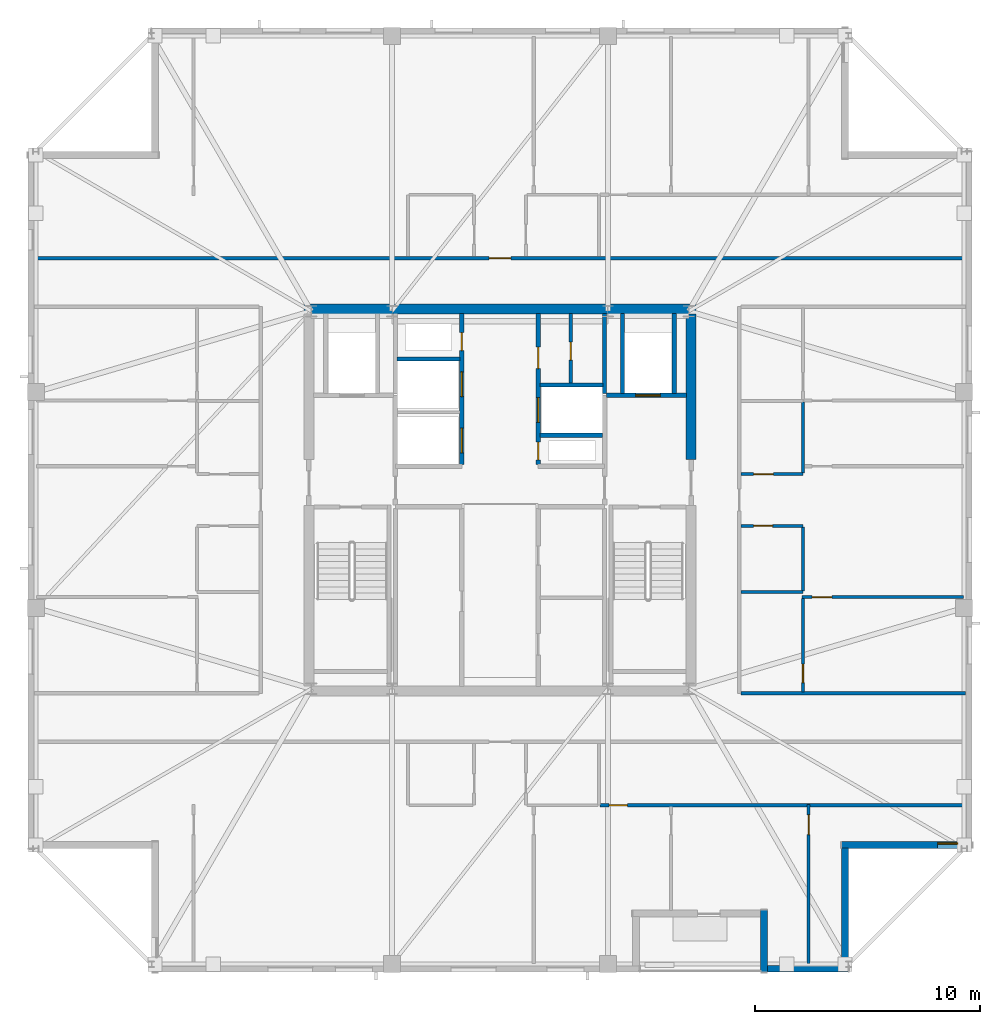
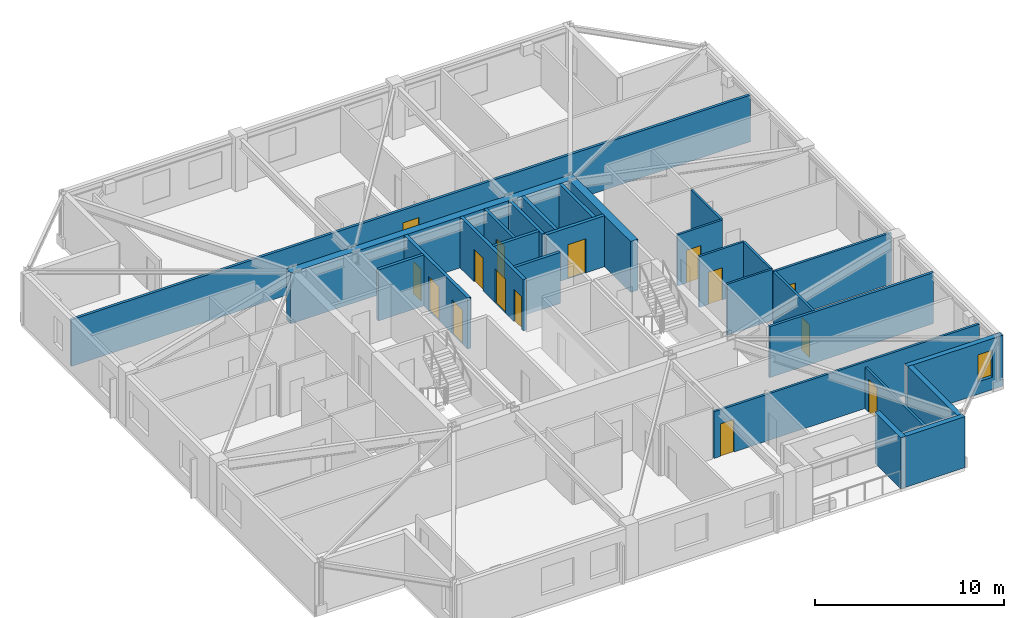
# One storey, part 9 of 15: 27 walls, 15 doors, 1 window, 16 openings.
"""IFC4 building model written with IfcOpenShell, lengths in metres."""

from ifc_helpers import new_model, si_unit, direction, frame, frame_2d, origin, place, context, subcontext, project, spatial, rectangle, extrude, material, layer, layer_set, type_object, element, fill, save


model = new_model("IFC4")

# Units and contexts
model_context = context("Model", 3, precision=1e-05, world=origin(), true_north=direction((0.0, 1.0)))
body_context = subcontext(model_context, "Body", "Model", "MODEL_VIEW")
ifc_project = project(units=[si_unit("LENGTHUNIT", "METRE"), si_unit("AREAUNIT", "SQUARE_METRE"), si_unit("VOLUMEUNIT", "CUBIC_METRE"), si_unit("PLANEANGLEUNIT", "RADIAN"), si_unit("MASSUNIT", "GRAM", prefix="KILO")], contexts=[model_context])

# Site, building, storey
site_placement = place(None, origin())
site = spatial("IfcSite", under=ifc_project, at=site_placement, CompositionType="ELEMENT")
building_placement = place(site_placement, origin())
building = spatial("IfcBuilding", under=site, at=building_placement, Name="Cairnveth Concourse Tower", CompositionType="ELEMENT")
storey_placement = place(building_placement, frame((0.0, 0.0, 284.0)))
storey = spatial("IfcBuildingStorey", under=building, at=storey_placement, Name="L78", CompositionType="ELEMENT", Elevation=284.0)

# Wall, opening, door
ifc_material_1 = material(Name="Gypsum Plasterboard Partition", Category="gypsum")
ifc_layer_1 = layer(ifc_material_1, 0.159912109375)
ifc_layer_set_1 = layer_set([ifc_layer_1], Name="Gypsum Plasterboard Partition")
wall_type_1 = type_object("IfcWallType", Name="ACOUSTIC PARTY WALL 180", PredefinedType="PARTITIONING", material=ifc_layer_set_1)
wall_1_placement = place(storey_placement, frame((55.14990234375, 44.195068359375, 0.0), z_axis=(0.0, 0.0, 1.0), x_axis=(0.0, 1.0, 0.0)))
wall_1 = element("IfcWall", 1, at=wall_1_placement, inside=storey, type_object=wall_type_1, Name="Interior Wall IW-L78-034", PredefinedType="PARTITIONING", context=body_context, shape_type="SweptSolid", body=[
    extrude(rectangle(XDim=3.094970703125, YDim=0.159912109375, at=frame_2d((1.54736328125, 0.0))), origin(), (0.0, 0.0, 1.0), 3.2900390625),
])
opening_1_placement = place(wall_1_placement, frame((1.02490234375, 0.0, 0.0)))
opening_1 = element("IfcOpeningElement", 2, at=opening_1_placement, cuts=wall_1, Name="Opening ID23", PredefinedType="OPENING", context=body_context, shape_type="SweptSolid", body=[
    extrude(rectangle(XDim=0.800048828125, YDim=2.10009765625, at=frame_2d((0.39990234375, 1.050048828125))), frame((0.0, 0.08984375, 0.0), z_axis=(0.0, -1.0, 0.0), x_axis=(1.0, 0.0, 0.0)), (0.0, 0.0, 1.0), 0.179931640625),
])
ifc_material_2 = material(Name="Steel Grade 350", Category="steel")
door_type_1 = type_object("IfcDoorType", Name="CORE SERVICE DOOR 800X2100", OperationType="NOTDEFINED", PredefinedType="DOOR", material=ifc_material_2)
door_1_placement = place(opening_1_placement, origin())
door_1 = element("IfcDoor", 3, at=door_1_placement, inside=storey, type_object=door_type_1, Name="NE Linen Closet Door L78", OperationType="SINGLE_SWING_RIGHT", OverallHeight=2.10009765625, OverallWidth=0.800048828125, PredefinedType="DOOR", context=body_context, shape_type="SweptSolid", body=[
    extrude(rectangle(XDim=0.800048828125, YDim=2.10009765625, at=frame_2d((0.39990234375, 1.050048828125))), frame((0.0, 0.02490234375, 0.0), z_axis=(0.0, -1.0, 0.0), x_axis=(1.0, 0.0, 0.0)), (0.0, 0.0, 1.0), 0.050048828125),
])
fill(opening_1, door_1)

wall_2_placement = place(storey_placement, frame((31.284912109375, 49.75, 0.0), z_axis=(0.0, 0.0, 1.0), x_axis=(1.0, 0.0, 0.0)))
wall_2 = element("IfcWall", 4, at=wall_2_placement, inside=storey, type_object=wall_type_1, Name="Interior Wall IW-L78-036", PredefinedType="PARTITIONING", context=body_context, shape_type="SweptSolid", body=[
    extrude(rectangle(XDim=41.43017578125, YDim=0.159912109375, at=frame_2d((20.715087890625, 0.0))), origin(), (0.0, 0.0, 1.0), 3.009033203125),
])
opening_2_placement = place(wall_2_placement, frame((20.235107421875, 0.0, 0.0)))
opening_2 = element("IfcOpeningElement", 5, at=opening_2_placement, cuts=wall_2, Name="Opening ID10", PredefinedType="OPENING", context=body_context, shape_type="SweptSolid", body=[
    extrude(rectangle(XDim=0.9599609375, YDim=2.179931640625, at=frame_2d((0.47998046875, 1.08984375))), frame((0.0, 0.08984375, 0.0), z_axis=(0.0, -1.0, 0.0), x_axis=(1.0, 0.0, 0.0)), (0.0, 0.0, 1.0), 0.179931640625),
])
ifc_material_3 = material(Name="Solid Core Hardwood Timber Leaf", Category="wood")
door_type_2 = type_object("IfcDoorType", Name="FLAT ENTRANCE DOOR 960X2150", OperationType="NOTDEFINED", PredefinedType="DOOR", material=ifc_material_3)
door_2_placement = place(opening_2_placement, origin())
door_2 = element("IfcDoor", 6, at=door_2_placement, inside=storey, type_object=door_type_2, Name="Penthouse L78PN1 Entrance Door", OperationType="SINGLE_SWING_RIGHT", OverallHeight=2.179931640625, OverallWidth=0.9599609375, PredefinedType="DOOR", context=body_context, shape_type="SweptSolid", body=[
    extrude(rectangle(XDim=0.9599609375, YDim=2.179931640625, at=frame_2d((0.47998046875, 1.08984375))), frame((0.0, 0.02490234375, 0.0), z_axis=(0.0, -1.0, 0.0), x_axis=(1.0, 0.0, 0.0)), (0.0, 0.0, 1.0), 0.050048828125),
])
fill(opening_2, door_2)

# Walls
wall_3_placement = place(storey_placement, frame((62.715087890625, 30.39990234375, 0.0), z_axis=(0.0, 0.0, 1.0), x_axis=(1.0, 0.0, 0.0)))
element("IfcWall", 7, at=wall_3_placement, inside=storey, type_object=wall_type_1, Name="Interior Wall IW-L78-041", PredefinedType="PARTITIONING", context=body_context, shape_type="SweptSolid", body=[
    extrude(rectangle(XDim=10.0, YDim=0.159912109375, at=frame_2d((5.0, 0.0))), origin(), (0.0, 0.0, 1.0), 3.2900390625),
])
ifc_material_4 = material(Name="Concrete N65 (65 MPa)", Category="concrete")
ifc_layer_2 = layer(ifc_material_4, 0.449951171875)
ifc_layer_set_2 = layer_set([ifc_layer_2], Name="Concrete N65 (65 MPa)")
wall_type_2 = type_object("IfcWallType", Name="CORE SHEAR WALL 450", PredefinedType="SHEAR", material=ifc_layer_set_2)
wall_4_placement = place(storey_placement, frame((43.27490234375, 47.5, 0.0), z_axis=(0.0, 0.0, 1.0), x_axis=(1.0, 0.0, 0.0)))
element("IfcWall", 8, at=wall_4_placement, inside=storey, type_object=wall_type_2, Name="Core North Shear Wall L78", PredefinedType="SHEAR", context=body_context, shape_type="SweptSolid", body=[
    extrude(rectangle(XDim=17.4501953125, YDim=0.449951171875, at=frame_2d((8.72509765625, 0.0))), origin(), (0.0, 0.0, 1.0), 3.2900390625),
])
wall_5_placement = place(storey_placement, frame((60.5, 40.800048828125, 0.0), z_axis=(0.0, 0.0, 1.0), x_axis=(0.0, 1.0, 0.0)))
element("IfcWall", 9, at=wall_5_placement, inside=storey, type_object=wall_type_2, Name="Core East Shear Wall N L78", PredefinedType="SHEAR", context=body_context, shape_type="SweptSolid", body=[
    extrude(rectangle(XDim=6.48486328125, YDim=0.449951171875, at=frame_2d((3.242431640625, 0.0))), origin(), (0.0, 0.0, 1.0), 3.2900390625),
])
ifc_material_5 = material(Name="Concrete N50 (50 MPa)", Category="concrete")
ifc_layer_3 = layer(ifc_material_5, 0.179931640625)
ifc_layer_set_3 = layer_set([ifc_layer_3], Name="Concrete N50 (50 MPa)")
wall_type_3 = type_object("IfcWallType", Name="FIRE SHAFT WALL 180", PredefinedType="SOLIDWALL", material=ifc_layer_set_3)
wall_6_placement = place(storey_placement, frame((47.425048828125, 45.280029296875, 0.0), z_axis=(0.0, 0.0, 1.0), x_axis=(1.0, 0.0, 0.0)))
element("IfcWall", 10, at=wall_6_placement, inside=storey, type_object=wall_type_3, Name="Interior Wall IW-L78-030", PredefinedType="SOLIDWALL", context=body_context, shape_type="SweptSolid", body=[
    extrude(rectangle(XDim=2.7900390625, YDim=0.179931640625, at=frame_2d((1.39501953125, 0.0))), origin(), (0.0, 0.0, 1.0), 3.2900390625),
])
wall_7_placement = place(storey_placement, frame((56.64990234375, 43.735107421875, 0.0), z_axis=(0.0, 0.0, 1.0), x_axis=(0.0, 1.0, 0.0)))
element("IfcWall", 11, at=wall_7_placement, inside=storey, type_object=wall_type_3, Name="Interior Wall IW-L78-031", PredefinedType="SOLIDWALL", context=body_context, shape_type="SweptSolid", body=[
    extrude(rectangle(XDim=3.554931640625, YDim=0.179931640625, at=frame_2d((1.77734375, 0.0))), origin(), (0.0, 0.0, 1.0), 3.2900390625),
])
wall_8_placement = place(storey_placement, frame((53.784912109375, 41.8798828125, 0.0), z_axis=(0.0, 0.0, 1.0), x_axis=(1.0, 0.0, 0.0)))
element("IfcWall", 12, at=wall_8_placement, inside=storey, type_object=wall_type_3, Name="Interior Wall IW-L78-032", PredefinedType="SOLIDWALL", context=body_context, shape_type="SweptSolid", body=[
    extrude(rectangle(XDim=2.780029296875, YDim=0.179931640625, at=frame_2d((1.39013671875, 0.0))), origin(), (0.0, 0.0, 1.0), 3.2900390625),
])
wall_9_placement = place(storey_placement, frame((53.784912109375, 44.1201171875, 0.0), z_axis=(0.0, 0.0, 1.0), x_axis=(1.0, 0.0, 0.0)))
element("IfcWall", 13, at=wall_9_placement, inside=storey, type_object=wall_type_3, Name="Interior Wall IW-L78-033", PredefinedType="SOLIDWALL", context=body_context, shape_type="SweptSolid", body=[
    extrude(rectangle(XDim=2.7900390625, YDim=0.179931640625, at=frame_2d((1.39501953125, 0.0))), origin(), (0.0, 0.0, 1.0), 3.2900390625),
])

# Wall, openings, doors
ifc_layer_4 = layer(ifc_material_5, 0.199951171875)
ifc_layer_set_4 = layer_set([ifc_layer_4], Name="Concrete N50 (50 MPa)")
wall_type_4 = type_object("IfcWallType", Name="FIRE SHAFT WALL 200", PredefinedType="SOLIDWALL", material=ifc_layer_set_4)
wall_10_placement = place(storey_placement, frame((50.300048828125, 40.5849609375, 0.0), z_axis=(0.0, 0.0, 1.0), x_axis=(0.0, 1.0, 0.0)))
wall_10 = element("IfcWall", 14, at=wall_10_placement, inside=storey, type_object=wall_type_4, Name="Interior Wall IW-L78-013", PredefinedType="SOLIDWALL", context=body_context, shape_type="SweptSolid", body=[
    extrude(rectangle(XDim=6.705078125, YDim=0.199951171875, at=frame_2d((3.3525390625, 0.0))), origin(), (0.0, 0.0, 1.0), 3.2900390625),
])
opening_3_placement = place(wall_10_placement, frame((0.514892578125, 0.0, 0.0)))
opening_3 = element("IfcOpeningElement", 15, at=opening_3_placement, cuts=wall_10, Name="Opening LD-1", PredefinedType="OPENING", context=body_context, shape_type="SweptSolid", body=[
    extrude(rectangle(XDim=1.10009765625, YDim=2.199951171875, at=frame_2d((0.550048828125, 1.10009765625))), frame((0.0, 0.10986328125, 0.0), z_axis=(0.0, -1.0, 0.0), x_axis=(1.0, 0.0, 0.0)), (0.0, 0.0, 1.0), 0.219970703125),
])
opening_4_placement = place(wall_10_placement, frame((3.014892578125, 0.0, 0.0)))
opening_4 = element("IfcOpeningElement", 16, at=opening_4_placement, cuts=wall_10, Name="Opening LD-1", PredefinedType="OPENING", context=body_context, shape_type="SweptSolid", body=[
    extrude(rectangle(XDim=1.10009765625, YDim=2.199951171875, at=frame_2d((0.550048828125, 1.10009765625))), frame((0.0, 0.10986328125, 0.0), z_axis=(0.0, -1.0, 0.0), x_axis=(1.0, 0.0, 0.0)), (0.0, 0.0, 1.0), 0.219970703125),
])
opening_5_placement = place(wall_10_placement, frame((5.06494140625, 0.0, 0.0)))
opening_5 = element("IfcOpeningElement", 17, at=opening_5_placement, cuts=wall_10, Name="Opening ID24", PredefinedType="OPENING", context=body_context, shape_type="SweptSolid", body=[
    extrude(rectangle(XDim=0.800048828125, YDim=2.080078125, at=frame_2d((0.39990234375, 1.0400390625))), frame((0.0, 0.10986328125, 0.0), z_axis=(0.0, -1.0, 0.0), x_axis=(1.0, 0.0, 0.0)), (0.0, 0.0, 1.0), 0.219970703125),
])
ifc_material_6 = material(Name="Architectural Bronze Anodised Aluminium 6063-T6", Category="aluminium")
door_type_3 = type_object("IfcDoorType", Name="LIFT LANDING DOOR 1100X2200", OperationType="SLIDING_TO_LEFT", PredefinedType="DOOR", material=ifc_material_6)
door_3_placement = place(opening_3_placement, origin())
door_3 = element("IfcDoor", 18, at=door_3_placement, inside=storey, type_object=door_type_3, Name="Lift PL7 Landing Door L78", OperationType="SLIDING_TO_LEFT", OverallHeight=2.199951171875, OverallWidth=1.10009765625, PredefinedType="DOOR", context=body_context, shape_type="SweptSolid", body=[
    extrude(rectangle(XDim=1.10009765625, YDim=2.199951171875, at=frame_2d((0.550048828125, 1.10009765625))), frame((0.0, 0.02490234375, 0.0), z_axis=(0.0, -1.0, 0.0), x_axis=(1.0, 0.0, 0.0)), (0.0, 0.0, 1.0), 0.050048828125),
])
fill(opening_3, door_3)
door_4_placement = place(opening_4_placement, origin())
door_4 = element("IfcDoor", 19, at=door_4_placement, inside=storey, type_object=door_type_3, Name="Lift PL8 Landing Door L78", OperationType="SLIDING_TO_LEFT", OverallHeight=2.199951171875, OverallWidth=1.10009765625, PredefinedType="DOOR", context=body_context, shape_type="SweptSolid", body=[
    extrude(rectangle(XDim=1.10009765625, YDim=2.199951171875, at=frame_2d((0.550048828125, 1.10009765625))), frame((0.0, 0.02490234375, 0.0), z_axis=(0.0, -1.0, 0.0), x_axis=(1.0, 0.0, 0.0)), (0.0, 0.0, 1.0), 0.050048828125),
])
fill(opening_4, door_4)
door_type_4 = type_object("IfcDoorType", Name="RISER ACCESS DOOR 800X2100", OperationType="NOTDEFINED", PredefinedType="DOOR", material=ifc_material_2)
door_5_placement = place(opening_5_placement, origin())
door_5 = element("IfcDoor", 20, at=door_5_placement, inside=storey, type_object=door_type_4, Name="NW Electrical Riser Access Door L78", OperationType="SINGLE_SWING_RIGHT", OverallHeight=2.080078125, OverallWidth=0.800048828125, PredefinedType="DOOR", context=body_context, shape_type="SweptSolid", body=[
    extrude(rectangle(XDim=0.800048828125, YDim=2.080078125, at=frame_2d((0.39990234375, 1.0400390625))), frame((0.0, 0.02490234375, 0.0), z_axis=(0.0, -1.0, 0.0), x_axis=(1.0, 0.0, 0.0)), (0.0, 0.0, 1.0), 0.050048828125),
])
fill(opening_5, door_5)

wall_11_placement = place(storey_placement, frame((53.699951171875, 40.5849609375, 0.0), z_axis=(0.0, 0.0, 1.0), x_axis=(0.0, 1.0, 0.0)))
wall_11 = element("IfcWall", 21, at=wall_11_placement, inside=storey, type_object=wall_type_4, Name="Interior Wall IW-L78-014", PredefinedType="SOLIDWALL", context=body_context, shape_type="SweptSolid", body=[
    extrude(rectangle(XDim=6.705078125, YDim=0.199951171875, at=frame_2d((3.3525390625, 0.0))), origin(), (0.0, 0.0, 1.0), 3.2900390625),
])
opening_6_placement = place(wall_11_placement, frame((0.195068359375, 0.0, 0.0)))
opening_6 = element("IfcOpeningElement", 22, at=opening_6_placement, cuts=wall_11, Name="Opening ID24", PredefinedType="OPENING", context=body_context, shape_type="SweptSolid", body=[
    extrude(rectangle(XDim=0.800048828125, YDim=2.080078125, at=frame_2d((0.39990234375, 1.0400390625))), frame((0.0, 0.10986328125, 0.0), z_axis=(0.0, -1.0, 0.0), x_axis=(1.0, 0.0, 0.0)), (0.0, 0.0, 1.0), 0.219970703125),
])
opening_7_placement = place(wall_11_placement, frame((1.864990234375, 0.0, 0.0)))
opening_7 = element("IfcOpeningElement", 23, at=opening_7_placement, cuts=wall_11, Name="Opening LD-1", PredefinedType="OPENING", context=body_context, shape_type="SweptSolid", body=[
    extrude(rectangle(XDim=1.10009765625, YDim=2.199951171875, at=frame_2d((0.550048828125, 1.10009765625))), frame((0.0, 0.10986328125, 0.0), z_axis=(0.0, -1.0, 0.0), x_axis=(1.0, 0.0, 0.0)), (0.0, 0.0, 1.0), 0.219970703125),
])
opening_8_placement = place(wall_11_placement, frame((4.264892578125, 0.0, 0.0)))
opening_8 = element("IfcOpeningElement", 24, at=opening_8_placement, cuts=wall_11, Name="Opening ID25", PredefinedType="OPENING", context=body_context, shape_type="SweptSolid", body=[
    extrude(rectangle(XDim=0.949951171875, YDim=2.1201171875, at=frame_2d((0.47509765625, 1.06005859375))), frame((0.0, 0.10986328125, 0.0), z_axis=(0.0, -1.0, 0.0), x_axis=(1.0, 0.0, 0.0)), (0.0, 0.0, 1.0), 0.219970703125),
])
door_type_5 = type_object("IfcDoorType", Name="CORE ACCESSIBLE FIRE DOOR 950X2120", OperationType="NOTDEFINED", PredefinedType="DOOR", material=ifc_material_2)
door_6_placement = place(opening_8_placement, origin())
door_6 = element("IfcDoor", 25, at=door_6_placement, inside=storey, type_object=door_type_5, Name="Core NE Restroom Door L78", OperationType="SINGLE_SWING_LEFT", OverallHeight=2.1201171875, OverallWidth=0.949951171875, PredefinedType="DOOR", context=body_context, shape_type="SweptSolid", body=[
    extrude(rectangle(XDim=0.949951171875, YDim=2.1201171875, at=frame_2d((0.47509765625, 1.06005859375))), frame((0.0, 0.02490234375, 0.0), z_axis=(0.0, -1.0, 0.0), x_axis=(1.0, 0.0, 0.0)), (0.0, 0.0, 1.0), 0.050048828125),
])
fill(opening_8, door_6)
door_7_placement = place(opening_7_placement, origin())
door_7 = element("IfcDoor", 26, at=door_7_placement, inside=storey, type_object=door_type_3, Name="Lift PL9 Landing Door L78", OperationType="SLIDING_TO_LEFT", OverallHeight=2.199951171875, OverallWidth=1.10009765625, PredefinedType="DOOR", context=body_context, shape_type="SweptSolid", body=[
    extrude(rectangle(XDim=1.10009765625, YDim=2.199951171875, at=frame_2d((0.550048828125, 1.10009765625))), frame((0.0, 0.02490234375, 0.0), z_axis=(0.0, -1.0, 0.0), x_axis=(1.0, 0.0, 0.0)), (0.0, 0.0, 1.0), 0.050048828125),
])
fill(opening_7, door_7)
door_8_placement = place(opening_6_placement, origin())
door_8 = element("IfcDoor", 27, at=door_8_placement, inside=storey, type_object=door_type_4, Name="Hydraulic Riser Door L78", OperationType="SINGLE_SWING_LEFT", OverallHeight=2.080078125, OverallWidth=0.800048828125, PredefinedType="DOOR", context=body_context, shape_type="SweptSolid", body=[
    extrude(rectangle(XDim=0.800048828125, YDim=2.080078125, at=frame_2d((0.39990234375, 1.0400390625))), frame((0.0, 0.02490234375, 0.0), z_axis=(0.0, -1.0, 0.0), x_axis=(1.0, 0.0, 0.0)), (0.0, 0.0, 1.0), 0.050048828125),
])
fill(opening_6, door_8)

# Wall, opening, door
wall_12_placement = place(storey_placement, frame((56.735107421875, 43.64990234375, 0.0), z_axis=(0.0, 0.0, 1.0), x_axis=(1.0, 0.0, 0.0)))
wall_12 = element("IfcWall", 28, at=wall_12_placement, inside=storey, type_object=wall_type_4, Name="Interior Wall IW-L78-022", PredefinedType="SOLIDWALL", context=body_context, shape_type="SweptSolid", body=[
    extrude(rectangle(XDim=3.554931640625, YDim=0.199951171875, at=frame_2d((1.77734375, 0.0))), origin(), (0.0, 0.0, 1.0), 3.2900390625),
])
opening_9_placement = place(wall_12_placement, frame((1.294921875, 0.0, 0.0)))
opening_9 = element("IfcOpeningElement", 29, at=opening_9_placement, cuts=wall_12, Name="Opening LD-1", PredefinedType="OPENING", context=body_context, shape_type="SweptSolid", body=[
    extrude(rectangle(XDim=1.10009765625, YDim=2.199951171875, at=frame_2d((0.550048828125, 1.10009765625))), frame((0.0, 0.10986328125, 0.0), z_axis=(0.0, -1.0, 0.0), x_axis=(1.0, 0.0, 0.0)), (0.0, 0.0, 1.0), 0.219970703125),
])
door_9_placement = place(opening_9_placement, origin())
door_9 = element("IfcDoor", 30, at=door_9_placement, inside=storey, type_object=door_type_3, Name="Lift FFL2 Landing Door L78", OperationType="SLIDING_TO_LEFT", OverallHeight=2.199951171875, OverallWidth=1.10009765625, PredefinedType="DOOR", context=body_context, shape_type="SweptSolid", body=[
    extrude(rectangle(XDim=1.10009765625, YDim=2.199951171875, at=frame_2d((0.550048828125, 1.10009765625))), frame((0.0, 0.02490234375, 0.0), z_axis=(0.0, -1.0, 0.0), x_axis=(1.0, 0.0, 0.0)), (0.0, 0.0, 1.0), 0.050048828125),
])
fill(opening_9, door_9)

# Walls
for number, where, z_axis, x_axis, name in (
    (31, (57.449951171875, 43.735107421875, 0.0), (0.0, 0.0, 1.0), (0.0, 1.0, 0.0), "Interior Wall IW-L78-023"),
    (32, (59.75, 43.735107421875, 0.0), (0.0, 0.0, 1.0), (0.0, 1.0, 0.0), "Interior Wall IW-L78-024"),
):
    element("IfcWall", number, at=place(storey_placement, frame(where, z_axis=z_axis, x_axis=x_axis)), inside=storey, type_object=wall_type_4, Name=name, PredefinedType="SOLIDWALL", context=body_context, shape_type="SweptSolid", body=[
        extrude(rectangle(XDim=3.554931640625, YDim=0.199951171875, at=frame_2d((1.77734375, 0.0))), origin(), (0.0, 0.0, 1.0), 3.2900390625),
    ])

# Wall, opening, door
ifc_layer_5 = layer(ifc_material_1, 0.139892578125)
ifc_layer_set_5 = layer_set([ifc_layer_5], Name="Gypsum Plasterboard Partition")
wall_type_5 = type_object("IfcWallType", Name="GYPSUM STUD PARTITION 140", PredefinedType="PARTITIONING", material=ifc_layer_set_5)
wall_13_placement = place(storey_placement, frame((65.72998046875, 18.3798828125, 0.0), z_axis=(0.0, 0.0, 1.0), x_axis=(0.0, 1.0, 0.0)))
wall_13 = element("IfcWall", 33, at=wall_13_placement, inside=storey, type_object=wall_type_5, Name="Interior Wall IW-L78-050", PredefinedType="PARTITIONING", context=body_context, shape_type="SweptSolid", body=[
    extrude(rectangle(XDim=7.080078125, YDim=0.139892578125, at=frame_2d((3.5400390625, 0.0))), origin(), (0.0, 0.0, 1.0), 2.653076171875),
])
opening_10_placement = place(wall_13_placement, frame((5.72998046875, 0.0, 0.0)))
opening_10 = element("IfcOpeningElement", 34, at=opening_10_placement, cuts=wall_13, Name="Opening ID18", PredefinedType="OPENING", context=body_context, shape_type="SweptSolid", body=[
    extrude(rectangle(XDim=0.8798828125, YDim=2.10009765625, at=frame_2d((0.43994140625, 1.050048828125))), frame((0.0, 0.079833984375, 0.0), z_axis=(0.0, -1.0, 0.0), x_axis=(1.0, 0.0, 0.0)), (0.0, 0.0, 1.0), 0.159912109375),
])
door_type_6 = type_object("IfcDoorType", Name="INTERIOR SINGLE DOOR 880X2100", OperationType="NOTDEFINED", PredefinedType="DOOR", material=ifc_material_3)
door_10_placement = place(opening_10_placement, origin())
door_10 = element("IfcDoor", 35, at=door_10_placement, inside=storey, type_object=door_type_6, Name="L78PS1 Bedroom 2 Door", OperationType="SINGLE_SWING_LEFT", OverallHeight=2.10009765625, OverallWidth=0.8798828125, PredefinedType="DOOR", context=body_context, shape_type="SweptSolid", body=[
    extrude(rectangle(XDim=0.8798828125, YDim=2.10009765625, at=frame_2d((0.43994140625, 1.050048828125))), frame((0.0, 0.02490234375, 0.0), z_axis=(0.0, -1.0, 0.0), x_axis=(1.0, 0.0, 0.0)), (0.0, 0.0, 1.0), 0.050048828125),
])
fill(opening_10, door_10)

wall_14_placement = place(storey_placement, frame((56.449951171875, 25.419921875, 0.0), z_axis=(0.0, 0.0, 1.0), x_axis=(1.0, 0.0, 0.0)))
wall_14 = element("IfcWall", 36, at=wall_14_placement, inside=storey, type_object=wall_type_5, Name="Interior Wall IW-L78-051", PredefinedType="PARTITIONING", context=body_context, shape_type="SweptSolid", body=[
    extrude(rectangle(XDim=16.179931640625, YDim=0.139892578125, at=frame_2d((8.08984375, 0.0))), origin(), (0.0, 0.0, 1.0), 3.009033203125),
])
opening_11_placement = place(wall_14_placement, frame((0.39990234375, 0.0, 0.0)))
opening_11 = element("IfcOpeningElement", 37, at=opening_11_placement, cuts=wall_14, Name="Opening ID22", PredefinedType="OPENING", context=body_context, shape_type="SweptSolid", body=[
    extrude(rectangle(XDim=0.820068359375, YDim=2.10009765625, at=frame_2d((0.41015625, 1.050048828125))), frame((0.0, 0.079833984375, 0.0), z_axis=(0.0, -1.0, 0.0), x_axis=(1.0, 0.0, 0.0)), (0.0, 0.0, 1.0), 0.159912109375),
])
door_type_7 = type_object("IfcDoorType", Name="INTERIOR WC DOOR 820X2100", OperationType="NOTDEFINED", PredefinedType="DOOR", material=ifc_material_3)
door_11_placement = place(opening_11_placement, origin())
door_11 = element("IfcDoor", 38, at=door_11_placement, inside=storey, type_object=door_type_7, Name="L78PS1 Utility Door", OperationType="SINGLE_SWING_RIGHT", OverallHeight=2.10009765625, OverallWidth=0.820068359375, PredefinedType="DOOR", context=body_context, shape_type="SweptSolid", body=[
    extrude(rectangle(XDim=0.820068359375, YDim=2.10009765625, at=frame_2d((0.41015625, 1.050048828125))), frame((0.0, 0.02490234375, 0.0), z_axis=(0.0, -1.0, 0.0), x_axis=(1.0, 0.0, 0.0)), (0.0, 0.0, 1.0), 0.050048828125),
])
fill(opening_11, door_11)

wall_15_placement = place(storey_placement, frame((65.43994140625, 34.679931640625, 0.0), z_axis=(0.0, 0.0, 1.0), x_axis=(1.0, 0.0, 0.0)))
wall_15 = element("IfcWall", 39, at=wall_15_placement, inside=storey, type_object=wall_type_5, Name="Interior Wall IW-L78-082", PredefinedType="PARTITIONING", context=body_context, shape_type="SweptSolid", body=[
    extrude(rectangle(XDim=7.18017578125, YDim=0.139892578125, at=frame_2d((3.590087890625, 0.0))), origin(), (0.0, 0.0, 1.0), 3.2900390625),
])
opening_12_placement = place(wall_15_placement, frame((0.449951171875, 0.0, 0.0)))
opening_12 = element("IfcOpeningElement", 40, at=opening_12_placement, cuts=wall_15, Name="Opening ID18", PredefinedType="OPENING", context=body_context, shape_type="SweptSolid", body=[
    extrude(rectangle(XDim=0.8798828125, YDim=2.10009765625, at=frame_2d((0.43994140625, 1.050048828125))), frame((0.0, 0.079833984375, 0.0), z_axis=(0.0, -1.0, 0.0), x_axis=(1.0, 0.0, 0.0)), (0.0, 0.0, 1.0), 0.159912109375),
])
door_12_placement = place(opening_12_placement, origin())
door_12 = element("IfcDoor", 41, at=door_12_placement, inside=storey, type_object=door_type_6, Name="L78PE1 Master Bedroom Door", OperationType="SINGLE_SWING_RIGHT", OverallHeight=2.10009765625, OverallWidth=0.8798828125, PredefinedType="DOOR", context=body_context, shape_type="SweptSolid", body=[
    extrude(rectangle(XDim=0.8798828125, YDim=2.10009765625, at=frame_2d((0.43994140625, 1.050048828125))), frame((0.0, 0.02490234375, 0.0), z_axis=(0.0, -1.0, 0.0), x_axis=(1.0, 0.0, 0.0)), (0.0, 0.0, 1.0), 0.050048828125),
])
fill(opening_12, door_12)

wall_16_placement = place(storey_placement, frame((65.47998046875, 30.465087890625, 0.0), z_axis=(0.0, 0.0, 1.0), x_axis=(0.0, 1.0, 0.0)))
wall_16 = element("IfcWall", 42, at=wall_16_placement, inside=storey, type_object=wall_type_5, Name="Interior Wall IW-L78-083", PredefinedType="PARTITIONING", context=body_context, shape_type="SweptSolid", body=[
    extrude(rectangle(XDim=4.159912109375, YDim=0.139892578125, at=frame_2d((2.080078125, 0.0))), origin(), (0.0, 0.0, 1.0), 3.2900390625),
])
opening_13_placement = place(wall_16_placement, frame((0.4150390625, 0.0, 0.0)))
opening_13 = element("IfcOpeningElement", 43, at=opening_13_placement, cuts=wall_16, Name="Opening ID22", PredefinedType="OPENING", context=body_context, shape_type="SweptSolid", body=[
    extrude(rectangle(XDim=0.820068359375, YDim=2.10009765625, at=frame_2d((0.41015625, 1.050048828125))), frame((0.0, 0.079833984375, 0.0), z_axis=(0.0, -1.0, 0.0), x_axis=(1.0, 0.0, 0.0)), (0.0, 0.0, 1.0), 0.159912109375),
])
door_13_placement = place(opening_13_placement, origin())
door_13 = element("IfcDoor", 44, at=door_13_placement, inside=storey, type_object=door_type_7, Name="L78PE1 Dressing Door", OperationType="SINGLE_SWING_LEFT", OverallHeight=2.10009765625, OverallWidth=0.820068359375, PredefinedType="DOOR", context=body_context, shape_type="SweptSolid", body=[
    extrude(rectangle(XDim=0.820068359375, YDim=2.10009765625, at=frame_2d((0.41015625, 1.050048828125))), frame((0.0, 0.02490234375, 0.0), z_axis=(0.0, -1.0, 0.0), x_axis=(1.0, 0.0, 0.0)), (0.0, 0.0, 1.0), 0.050048828125),
])
fill(opening_13, door_13)

# Wall
ifc_layer_6 = layer(ifc_material_1, 0.1298828125)
ifc_layer_set_6 = layer_set([ifc_layer_6], Name="Gypsum Plasterboard Partition")
wall_type_6 = type_object("IfcWallType", Name="WET AREA PARTITION 140", PredefinedType="PLUMBINGWALL", material=ifc_layer_set_6)
wall_17_placement = place(storey_placement, frame((62.72998046875, 34.89990234375, 0.0), z_axis=(0.0, 0.0, 1.0), x_axis=(1.0, 0.0, 0.0)))
element("IfcWall", 45, at=wall_17_placement, inside=storey, type_object=wall_type_6, Name="Interior Wall IW-L78-076", PredefinedType="PLUMBINGWALL", context=body_context, shape_type="SweptSolid", body=[
    extrude(rectangle(XDim=2.75, YDim=0.1298828125, at=frame_2d((1.375, 0.0))), origin(), (0.0, 0.0, 1.0), 3.2900390625),
])

# Wall, opening, door
wall_18_placement = place(storey_placement, frame((62.72998046875, 37.85009765625, 0.0), z_axis=(0.0, 0.0, 1.0), x_axis=(1.0, 0.0, 0.0)))
wall_18 = element("IfcWall", 46, at=wall_18_placement, inside=storey, type_object=wall_type_6, Name="Interior Wall IW-L78-077", PredefinedType="PLUMBINGWALL", context=body_context, shape_type="SweptSolid", body=[
    extrude(rectangle(XDim=2.75, YDim=0.1298828125, at=frame_2d((1.375, 0.0))), origin(), (0.0, 0.0, 1.0), 3.2900390625),
])
opening_14_placement = place(wall_18_placement, frame((0.550048828125, 0.0, 0.0)))
opening_14 = element("IfcOpeningElement", 47, at=opening_14_placement, cuts=wall_18, Name="Opening ID21", PredefinedType="OPENING", context=body_context, shape_type="SweptSolid", body=[
    extrude(rectangle(XDim=0.85009765625, YDim=2.080078125, at=frame_2d((0.425048828125, 1.0400390625))), frame((0.0, 0.074951171875, 0.0), z_axis=(0.0, -1.0, 0.0), x_axis=(1.0, 0.0, 0.0)), (0.0, 0.0, 1.0), 0.14990234375),
])
door_type_8 = type_object("IfcDoorType", Name="INTERIOR WC DOOR 850X2100", OperationType="NOTDEFINED", PredefinedType="DOOR", material=ifc_material_3)
door_14_placement = place(opening_14_placement, origin())
door_14 = element("IfcDoor", 48, at=door_14_placement, inside=storey, type_object=door_type_8, Name="L78PE1 Bathroom Door", OperationType="SINGLE_SWING_LEFT", OverallHeight=2.080078125, OverallWidth=0.85009765625, PredefinedType="DOOR", context=body_context, shape_type="SweptSolid", body=[
    extrude(rectangle(XDim=0.85009765625, YDim=2.080078125, at=frame_2d((0.425048828125, 1.0400390625))), frame((0.0, 0.02490234375, 0.0), z_axis=(0.0, -1.0, 0.0), x_axis=(1.0, 0.0, 0.0)), (0.0, 0.0, 1.0), 0.050048828125),
])
fill(opening_14, door_14)

# Wall
wall_19_placement = place(storey_placement, frame((65.47998046875, 34.949951171875, 0.0), z_axis=(0.0, 0.0, 1.0), x_axis=(0.0, 1.0, 0.0)))
element("IfcWall", 49, at=wall_19_placement, inside=storey, type_object=wall_type_6, Name="Interior Wall IW-L78-078", PredefinedType="PLUMBINGWALL", context=body_context, shape_type="SweptSolid", body=[
    extrude(rectangle(XDim=2.85009765625, YDim=0.1298828125, at=frame_2d((1.425048828125, 0.0))), origin(), (0.0, 0.0, 1.0), 3.2900390625),
])

# Wall, opening, door
wall_20_placement = place(storey_placement, frame((62.72998046875, 40.14990234375, 0.0), z_axis=(0.0, 0.0, 1.0), x_axis=(1.0, 0.0, 0.0)))
wall_20 = element("IfcWall", 50, at=wall_20_placement, inside=storey, type_object=wall_type_6, Name="Interior Wall IW-L78-080", PredefinedType="PLUMBINGWALL", context=body_context, shape_type="SweptSolid", body=[
    extrude(rectangle(XDim=2.75, YDim=0.1298828125, at=frame_2d((1.375, 0.0))), origin(), (0.0, 0.0, 1.0), 3.2900390625),
])
opening_15_placement = place(wall_20_placement, frame((0.550048828125, 0.0, 0.0)))
opening_15 = element("IfcOpeningElement", 51, at=opening_15_placement, cuts=wall_20, Name="Opening ID18", PredefinedType="OPENING", context=body_context, shape_type="SweptSolid", body=[
    extrude(rectangle(XDim=0.8798828125, YDim=2.10009765625, at=frame_2d((0.43994140625, 1.050048828125))), frame((0.0, 0.074951171875, 0.0), z_axis=(0.0, -1.0, 0.0), x_axis=(1.0, 0.0, 0.0)), (0.0, 0.0, 1.0), 0.14990234375),
])
door_15_placement = place(opening_15_placement, origin())
door_15 = element("IfcDoor", 52, at=door_15_placement, inside=storey, type_object=door_type_6, Name="L78PE1 Kitchen Door", OperationType="SINGLE_SWING_RIGHT", OverallHeight=2.10009765625, OverallWidth=0.8798828125, PredefinedType="DOOR", context=body_context, shape_type="SweptSolid", body=[
    extrude(rectangle(XDim=0.8798828125, YDim=2.10009765625, at=frame_2d((0.43994140625, 1.050048828125))), frame((0.0, 0.02490234375, 0.0), z_axis=(0.0, -1.0, 0.0), x_axis=(1.0, 0.0, 0.0)), (0.0, 0.0, 1.0), 0.050048828125),
])
fill(opening_15, door_15)

# Wall
wall_21_placement = place(storey_placement, frame((65.47998046875, 40.199951171875, 0.0), z_axis=(0.0, 0.0, 1.0), x_axis=(0.0, 1.0, 0.0)))
element("IfcWall", 53, at=wall_21_placement, inside=storey, type_object=wall_type_6, Name="Interior Wall IW-L78-081", PredefinedType="PLUMBINGWALL", context=body_context, shape_type="SweptSolid", body=[
    extrude(rectangle(XDim=3.150146484375, YDim=0.1298828125, at=frame_2d((1.5751953125, 0.0))), origin(), (0.0, 0.0, 1.0), 3.2900390625),
])

# Wall, opening, window
ifc_material_7 = material(Name="Hawthorn Red-Ochre Fired Clay Brick Masonry", Category="masonry")
ifc_layer_7 = layer(ifc_material_7, 0.300048828125)
ifc_layer_set_7 = layer_set([ifc_layer_7], Name="Hawthorn Red-Ochre Fired Clay Brick Masonry")
wall_type_7 = type_object("IfcWallType", Name="ZONE 4 BRICK PIER SPANDREL WALL 300", PredefinedType="SOLIDWALL", material=ifc_layer_set_7)
wall_22_placement = place(storey_placement, frame((73.0, 23.64990234375, 0.0), z_axis=(0.0, 0.0, 1.0), x_axis=(-1.0, 0.0, 0.0)))
wall_22 = element("IfcWall", 54, at=wall_22_placement, inside=storey, type_object=wall_type_7, Name="Exterior Wall EW-L78-S10", PredefinedType="SOLIDWALL", context=body_context, shape_type="SweptSolid", body=[
    extrude(rectangle(XDim=5.800048828125, YDim=0.300048828125, at=frame_2d((2.89990234375, 0.0))), origin(), (0.0, 0.0, 1.0), 3.2900390625),
])
opening_16_placement = place(wall_22_placement, frame((0.6298828125, 0.0, 0.800048828125)))
opening_16 = element("IfcOpeningElement", 55, at=opening_16_placement, cuts=wall_22, Name="Opening W13", PredefinedType="OPENING", context=body_context, shape_type="SweptSolid", body=[
    extrude(rectangle(XDim=0.89990234375, YDim=1.75, at=frame_2d((0.449951171875, 0.875))), frame((0.0, 0.159912109375, 0.0), z_axis=(0.0, -1.0, 0.0), x_axis=(1.0, 0.0, 0.0)), (0.0, 0.0, 1.0), 0.320068359375),
])
ifc_material_8 = material(Name="Double Glazed Low-E Clear Glass", Category="glass")
window_type = type_object("IfcWindowType", Name="DEEP-SET BEDROOM LANCET WINDOW 900X1750", PartitioningType="DOUBLE_PANEL_VERTICAL", PredefinedType="WINDOW", material=ifc_material_8)
window_placement = place(opening_16_placement, origin())
window = element("IfcWindow", 56, at=window_placement, inside=storey, type_object=window_type, Name="Dwelling Lancet Window L78-DW2", OverallHeight=1.75, OverallWidth=0.89990234375, PartitioningType="SINGLE_PANEL", PredefinedType="WINDOW", context=body_context, shape_type="SweptSolid", body=[
    extrude(rectangle(XDim=0.89990234375, YDim=1.75, at=frame_2d((0.449951171875, 0.875))), frame((0.0, -0.0400390625, 0.0), z_axis=(0.0, -1.0, 0.0), x_axis=(1.0, 0.0, 0.0)), (0.0, 0.0, 1.0), 0.06005859375),
])
fill(opening_16, window)

# Walls
wall_23_placement = place(storey_placement, frame((67.35009765625, 23.52197265625, 0.0), z_axis=(0.0, 0.0, 1.0), x_axis=(0.0, -1.0, 0.0)))
element("IfcWall", 57, at=wall_23_placement, inside=storey, type_object=wall_type_7, Name="Exterior Wall EW-L78-S11", PredefinedType="SOLIDWALL", context=body_context, shape_type="SweptSolid", body=[
    extrude(rectangle(XDim=5.243896484375, YDim=0.300048828125, at=frame_2d((2.6220703125, 0.0))), origin(), (0.0, 0.0, 1.0), 3.2900390625),
])
wall_24_placement = place(storey_placement, frame((67.5, 18.14990234375, 0.0), z_axis=(0.0, 0.0, 1.0), x_axis=(-1.0, 0.0, 0.0)))
element("IfcWall", 58, at=wall_24_placement, inside=storey, type_object=wall_type_7, Name="Exterior Wall EW-L78-S12", PredefinedType="SOLIDWALL", context=body_context, shape_type="SweptSolid", body=[
    extrude(rectangle(XDim=3.6220703125, YDim=0.300048828125, at=frame_2d((1.81103515625, 0.0))), origin(), (0.0, 0.0, 1.0), 3.2900390625),
])
wall_25_placement = place(storey_placement, frame((63.75, 18.0, 0.0), z_axis=(0.0, 0.0, 1.0), x_axis=(0.0, 1.0, 0.0)))
element("IfcWall", 59, at=wall_25_placement, inside=storey, type_object=wall_type_7, Name="Exterior Wall EW-L78-S13", PredefinedType="SOLIDWALL", context=body_context, shape_type="SweptSolid", body=[
    extrude(rectangle(XDim=2.75, YDim=0.300048828125, at=frame_2d((1.375, 0.0))), origin(), (0.0, 0.0, 1.0), 3.2900390625),
])

save(model, "model.ifc")
